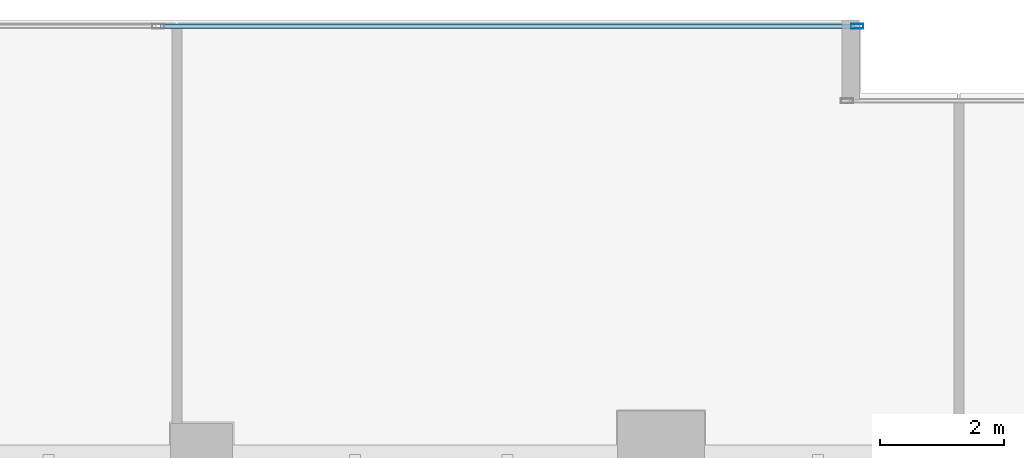
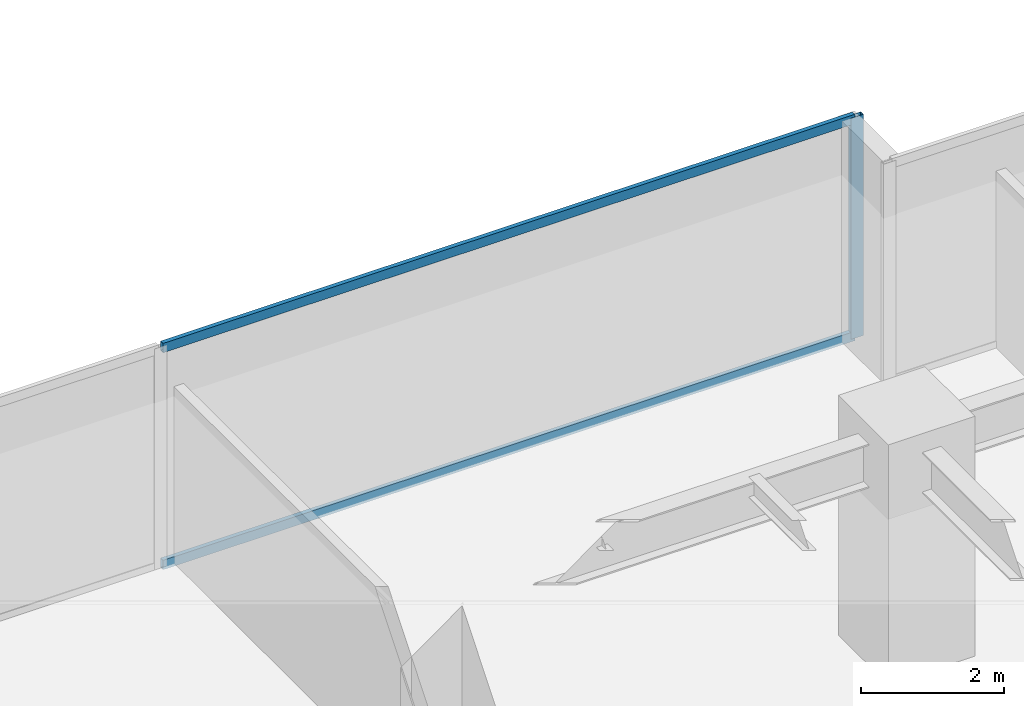
# One storey, part 16 of 36: 3 members, 1 element without a shape of its own.
"""IFC4 building model written with IfcOpenShell, lengths in metres."""

import ifcopenshell
import ifcopenshell.guid

model = None  # the IFC model being written
_history = None  # IfcOwnerHistory: only IFC2X3 demands one
_inside = {}  # id of a spatial element -> (the spatial element, [elements in it])
_under = {}  # id of a project, library or spatial element -> (it, [spatial elements below it])
_declared = {}  # id of a project -> (the project, [libraries it declares])
_typed = {}  # id of a type object -> (the type object, [elements of that type])
_made_of = {}  # id of a material, layer set ... -> (it, [elements and type objects made of it])


def new_model(schema):
    """Start an empty IFC model of exactly this schema.

    Asked for "IFC4X3", IfcOpenShell would pick the latest addendum, in which some entities
    have other attributes; the version numbers below select the first issue.
    IFC2X3 requires an IfcOwnerHistory on every rooted entity: one is made here for all.
    """
    global model, _history
    if schema == "IFC4X3":
        model = ifcopenshell.file(schema_version=(4, 3, 0, 0))
    else:
        model = ifcopenshell.file(schema=schema)
    _inside.clear()
    _under.clear()
    _declared.clear()
    _typed.clear()
    _made_of.clear()
    _history = None
    if model.schema == "IFC2X3":
        org = make("IfcOrganization", Name="unknown")
        user = make(
            "IfcPersonAndOrganization",
            ThePerson=make("IfcPerson", FamilyName="unknown"),
            TheOrganization=org,
        )
        app = make(
            "IfcApplication",
            ApplicationDeveloper=org,
            Version="unknown",
            ApplicationFullName="unknown",
            ApplicationIdentifier="unknown",
        )
        _history = make(
            "IfcOwnerHistory",
            OwningUser=user,
            OwningApplication=app,
            ChangeAction="ADDED",
            CreationDate=0,
        )
    return model


def make(cls, **values):
    """One entity of the class cls with the attributes given. An attribute that is None is left unset."""
    return model.create_entity(
        cls, **{name: value for name, value in values.items() if value is not None}
    )


def rooted(cls, **values):
    """An entity with a GlobalId (a new one), such as an element, a storey or a relation."""
    return make(cls, GlobalId=ifcopenshell.guid.new(), OwnerHistory=_history, **values)


def si_unit(unit_type, name, prefix=None):
    """IfcSIUnit, for example si_unit("LENGTHUNIT", "METRE", prefix="MILLI")."""
    return make("IfcSIUnit", UnitType=unit_type, Prefix=prefix, Name=name)


def assignment(units):
    """IfcUnitAssignment: the units of a project."""
    return None if units is None else make("IfcUnitAssignment", Units=units)


def point(xyz):
    """IfcCartesianPoint."""
    return None if xyz is None else make("IfcCartesianPoint", Coordinates=xyz)


def direction(xyz):
    """IfcDirection."""
    return None if xyz is None else make("IfcDirection", DirectionRatios=xyz)


def frame(location, z_axis=None, x_axis=None):
    """IfcAxis2Placement3D, a coordinate frame: its origin and axes. An axis left out is left unset."""
    return make(
        "IfcAxis2Placement3D",
        Location=point(location),
        Axis=direction(z_axis),
        RefDirection=direction(x_axis),
    )


def frame_2d(location, x_axis=None):
    """IfcAxis2Placement2D, a coordinate frame in the plane: its origin and x axis."""
    return make(
        "IfcAxis2Placement2D", Location=point(location), RefDirection=direction(x_axis)
    )


def origin():
    """The frame at (0, 0, 0) with its axes left unset."""
    return frame((0.0, 0.0, 0.0))


def origin_2d():
    """The frame at (0, 0) in the plane with its x axis left unset."""
    return frame_2d((0.0, 0.0))


def place(relative_to, where):
    """IfcLocalPlacement: puts the frame where relative to a parent placement (None: the world)."""
    return make(
        "IfcLocalPlacement", PlacementRelTo=relative_to, RelativePlacement=where
    )


def context(
    kind, dimensions, precision=None, world=None, true_north=None, identifier=None
):
    """IfcGeometricRepresentationContext, for example the 3D "Model" context."""
    return make(
        "IfcGeometricRepresentationContext",
        ContextIdentifier=identifier,
        ContextType=kind,
        CoordinateSpaceDimension=dimensions,
        Precision=precision,
        WorldCoordinateSystem=world,
        TrueNorth=true_north,
    )


def subcontext(parent, identifier, kind, view, scale=None):
    """IfcGeometricRepresentationSubContext, for example "Body" below "Model"."""
    return make(
        "IfcGeometricRepresentationSubContext",
        ContextIdentifier=identifier,
        ContextType=kind,
        ParentContext=parent,
        TargetScale=scale,
        TargetView=view,
    )


def project(units=None, contexts=None):
    """IfcProject with its units and contexts."""
    return rooted(
        "IfcProject",
        Name="project",
        RepresentationContexts=contexts,
        UnitsInContext=assignment(units),
    )


def spatial(cls, under=None, at=None, **own):
    """A site, building, storey or space (cls), placed at a placement, below another one or the project."""
    s = rooted(cls, ObjectPlacement=at, **own)
    if under is not None:
        _under.setdefault(under.id(), (under, []))[1].append(s)
    return s


def profile(cls, at=None, kind="AREA", **sizes):
    """A parametric profile (cls). Its sizes go by their IFC names, for example OverallWidth=200.0."""
    return make(cls, ProfileType=kind, Position=at, **sizes)


def hollow_rectangle(**sizes):
    """IfcRectangleHollowProfileDef."""
    return profile("IfcRectangleHollowProfileDef", **sizes)


def extrude(swept, where, along, depth):
    """IfcExtrudedAreaSolid: the profile swept, set in the frame where, extruded along a direction by depth."""
    return make(
        "IfcExtrudedAreaSolid",
        SweptArea=swept,
        Position=where,
        ExtrudedDirection=direction(along),
        Depth=depth,
    )


def shape(context_of_items, identifier, shape_type, items):
    """IfcShapeRepresentation: the items that make up one representation, for example the "Body"."""
    return make(
        "IfcShapeRepresentation",
        ContextOfItems=context_of_items,
        RepresentationIdentifier=identifier,
        RepresentationType=shape_type,
        Items=items,
    )


def source(mapping_origin, context_of_items, identifier, shape_type, items):
    """IfcRepresentationMap: a shape defined once, which mapped items show again and again."""
    return make(
        "IfcRepresentationMap",
        MappingOrigin=mapping_origin,
        MappedRepresentation=shape(context_of_items, identifier, shape_type, items),
    )


def transform(
    local_origin,
    x_axis=None,
    y_axis=None,
    z_axis=None,
    scale=None,
    scale2=None,
    scale3=None,
    uniform=True,
):
    """IfcCartesianTransformationOperator3D, or its non-uniform kind. x_axis, y_axis, z_axis: its Axis1, 2, 3."""
    if uniform:
        return make(
            "IfcCartesianTransformationOperator3D",
            Axis1=direction(x_axis),
            Axis2=direction(y_axis),
            LocalOrigin=point(local_origin),
            Scale=scale,
            Axis3=direction(z_axis),
        )
    return make(
        "IfcCartesianTransformationOperator3DnonUniform",
        Axis1=direction(x_axis),
        Axis2=direction(y_axis),
        LocalOrigin=point(local_origin),
        Scale=scale,
        Axis3=direction(z_axis),
        Scale2=scale2,
        Scale3=scale3,
    )


def mapped(mapping_source, mapping_target):
    """IfcMappedItem: shows the shape of a source again, moved by a transform."""
    return make(
        "IfcMappedItem", MappingSource=mapping_source, MappingTarget=mapping_target
    )


def material(Name=None, Category=None):
    """IfcMaterial."""
    return make("IfcMaterial", Name=Name, Category=Category)


def layer(
    of_material, thickness, ventilated=None, Name=None, Category=None, Priority=None
):
    """IfcMaterialLayer: one layer of a wall or slab, of a material (None: an air gap)."""
    return make(
        "IfcMaterialLayer",
        Material=of_material,
        LayerThickness=thickness,
        IsVentilated=ventilated,
        Name=Name,
        Category=Category,
        Priority=Priority,
    )


def layer_set(layers, Name=None):
    """IfcMaterialLayerSet."""
    return make("IfcMaterialLayerSet", MaterialLayers=layers, LayerSetName=Name)


def material_profile(
    of_material, cross_section, Name=None, Category=None, Priority=None
):
    """IfcMaterialProfile: a cross section and its material."""
    return make(
        "IfcMaterialProfile",
        Name=Name,
        Material=of_material,
        Profile=cross_section,
        Priority=Priority,
        Category=Category,
    )


def profile_set(profiles, Name=None, composite=None):
    """IfcMaterialProfileSet."""
    return make(
        "IfcMaterialProfileSet",
        Name=Name,
        MaterialProfiles=profiles,
        CompositeProfile=composite,
    )


def made_of(thing, what):
    """Note that an element or type object is made of a material, layer set ...; save() writes the relation."""
    if what is not None:
        _made_of.setdefault(what.id(), (what, []))[1].append(thing)
    return thing


def type_object(cls, material=None, **own):
    """A type object (cls), such as IfcWallType, which elements share."""
    return made_of(rooted(cls, **own), material)


def type_shapes(of_type, sources):
    """Give a type object the sources (RepresentationMaps) that its elements show as mapped items."""
    of_type.RepresentationMaps = sources


def element(
    cls,
    number,
    at=None,
    inside=None,
    cuts=None,
    type_object=None,
    material=None,
    context=None,
    identifier="Body",
    shape_type=None,
    held_by="IfcProductDefinitionShape",
    body=None,
    shapes=None,
    **own,
):
    """One element of the class cls, such as IfcWall. Its Tag is "e" and its number.

    at: its placement. inside: the storey or other place that contains it. cuts: it is an
    opening in that element (IfcRelVoidsElement). A single representation is given by context,
    identifier, shape_type and body (its items); several are given by shapes. held_by: the class
    of the entity that holds the representations. save() writes the other relations.
    """
    e = rooted(cls, Tag="e%d" % number, ObjectPlacement=at, **own)
    if body is not None:
        shapes = [shape(context, identifier, shape_type, body)]
    if shapes is not None:
        e.Representation = make(held_by, Representations=shapes)
    if inside is not None:
        _inside.setdefault(inside.id(), (inside, []))[1].append(e)
    if cuts is not None:
        rooted(
            "IfcRelVoidsElement", RelatingBuildingElement=cuts, RelatedOpeningElement=e
        )
    if type_object is not None:
        _typed.setdefault(type_object.id(), (type_object, []))[1].append(e)
    return made_of(e, material)


def aggregate(whole, parts):
    """IfcRelAggregates: a whole, such as a stair, and the parts it consists of."""
    return rooted("IfcRelAggregates", RelatingObject=whole, RelatedObjects=parts)


def save(model, path):
    """Write the relations noted so far, then the file.

    IfcRelAggregates (storeys below a building ...), IfcRelContainedInSpatialStructure (elements
    in a storey), IfcRelDefinesByType, IfcRelAssociatesMaterial and IfcRelDeclares: one each for
    every whole, place, type object, material and project.
    """
    for whole, parts in _under.values():
        aggregate(whole, parts)
    for where, things in _inside.values():
        rooted(
            "IfcRelContainedInSpatialStructure",
            RelatedElements=things,
            RelatingStructure=where,
        )
    for kind, things in _typed.values():
        rooted("IfcRelDefinesByType", RelatedObjects=things, RelatingType=kind)
    for what, things in _made_of.values():
        rooted("IfcRelAssociatesMaterial", RelatedObjects=things, RelatingMaterial=what)
    for by, libraries in _declared.values():
        rooted("IfcRelDeclares", RelatingContext=by, RelatedDefinitions=libraries)
    model.write(path)


model = new_model("IFC4")

# Units and contexts
model_context = context("Model", 3, precision=1e-05, world=origin(), true_north=direction((0.0, 1.0)))
body_context = subcontext(model_context, "Body", "Model", "MODEL_VIEW")
ifc_project = project(units=[si_unit("LENGTHUNIT", "METRE"), si_unit("AREAUNIT", "SQUARE_METRE"), si_unit("VOLUMEUNIT", "CUBIC_METRE"), si_unit("PLANEANGLEUNIT", "RADIAN"), si_unit("MASSUNIT", "GRAM", prefix="KILO")], contexts=[model_context])

# Site, building, storey
site_placement = place(None, origin())
site = spatial("IfcSite", under=ifc_project, at=site_placement, CompositionType="ELEMENT")
building_placement = place(site_placement, origin())
building = spatial("IfcBuilding", under=site, at=building_placement, Name="Haelvirn Gate Laboratories", CompositionType="ELEMENT")
storey_placement = place(building_placement, frame((0.0, 0.0, 53.89990234375)))
storey = spatial("IfcBuildingStorey", under=building, at=storey_placement, Name="L13", CompositionType="ELEMENT", Elevation=53.89990234375)

# Curtain wall, members
ifc_material_1 = material(Name="Anodised bronze unitised aluminium & triple low-E glass", Category="aluminium")
ifc_layer = layer(ifc_material_1, 0.18408203125, Name="CW-SYS-2")
ifc_layer_set = layer_set([ifc_layer], Name="Anodised bronze unitised aluminium & triple low-E glass")
curtain_wall_type = type_object("IfcCurtainWallType", Name="CW-SYS-2", PredefinedType="NOTDEFINED", material=ifc_layer_set)
curtain_wall_placement = place(storey_placement, origin())
curtain_wall = element("IfcCurtainWall", 1, at=curtain_wall_placement, inside=storey, type_object=curtain_wall_type, Name="L13 Unitised Curtain Wall CW-L13-P0-E14-1", PredefinedType="NOTDEFINED")
ifc_material_2 = material(Name="Extruded aluminium 6063-T6 (anodised bronze)", Category="aluminium")
ifc_material_profile_1 = material_profile(ifc_material_2, hollow_rectangle(XDim=0.074951171875, YDim=0.199951171875, WallThickness=0.0048828125, at=origin_2d()), Name="CWM-200x75x5")
ifc_profile_set_1 = profile_set([ifc_material_profile_1], Name="Extruded aluminium 6063-T6 (anodised bronze)")
member_type_1 = type_object("IfcMemberType", Name="CWM-T200", PredefinedType="MULLION", material=ifc_profile_set_1)
shared_shape_1 = source(origin(), body_context, "Body", "SweptSolid", [
    extrude(hollow_rectangle(XDim=0.074951171875, YDim=0.199951171875, WallThickness=0.0048828125, at=origin_2d()), origin(), (0.0, 0.0, 1.0), 3.780029296875),
])
type_shapes(member_type_1, [shared_shape_1])
member_1_placement = place(storey_placement, frame((25.362548828125, 48.5, 0.0), z_axis=(0.0, 0.0, 1.0), x_axis=(0.0, 1.0, 0.0)))
member_1 = element("IfcMember", 2, at=member_1_placement, type_object=member_type_1, Name="CW2 mullion 3", PredefinedType="MULLION", context=body_context, shape_type="MappedRepresentation", body=[
    mapped(shared_shape_1, transform((0.0, 0.0, 0.0), scale=1.0)),
])
ifc_material_profile_2 = material_profile(ifc_material_2, hollow_rectangle(XDim=0.070068359375, YDim=0.159912109375, WallThickness=0.0048828125, at=origin_2d()), Name="CWT-160x70x5")
ifc_profile_set_2 = profile_set([ifc_material_profile_2], Name="Extruded aluminium 6063-T6 (anodised bronze)")
member_type_2 = type_object("IfcMemberType", Name="CWT-T160", PredefinedType="USERDEFINED", material=ifc_profile_set_2)
shared_shape_2 = source(origin(), body_context, "Body", "SweptSolid", [
    extrude(hollow_rectangle(XDim=0.070068359375, YDim=0.159912109375, WallThickness=0.0048828125, at=origin_2d()), origin(), (0.0, 0.0, 1.0), 11.1875),
])
type_shapes(member_type_2, [shared_shape_2])
member_2_placement = place(storey_placement, frame((14.137451171875, 48.5, 0.03515625), z_axis=(1.0, 0.0, 0.0), x_axis=(0.0, 1.0, 0.0)))
member_2 = element("IfcMember", 3, at=member_2_placement, type_object=member_type_2, Name="CW2 transom 2.1", ObjectType="TRANSOM", PredefinedType="USERDEFINED", context=body_context, shape_type="MappedRepresentation", body=[
    mapped(shared_shape_2, transform((0.0, 0.0, 0.0), scale=1.0)),
])
member_3_placement = place(storey_placement, frame((14.137451171875, 48.5, 3.7451171875), z_axis=(1.0, 0.0, 0.0), x_axis=(0.0, 1.0, 0.0)))
member_3 = element("IfcMember", 4, at=member_3_placement, type_object=member_type_2, Name="CW2 transom 2.2", ObjectType="TRANSOM", PredefinedType="USERDEFINED", context=body_context, shape_type="MappedRepresentation", body=[
    mapped(shared_shape_2, transform((0.0, 0.0, 0.0), scale=1.0)),
])
aggregate(curtain_wall, [member_1, member_2, member_3])

save(model, "model.ifc")
